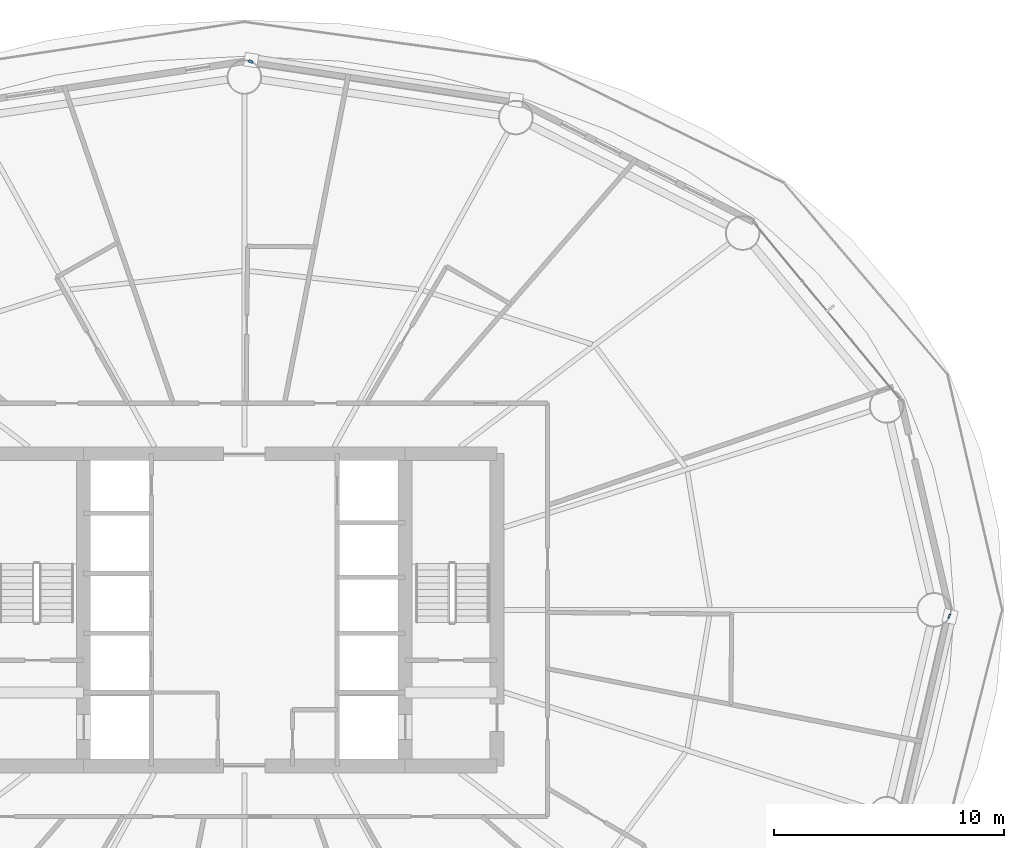
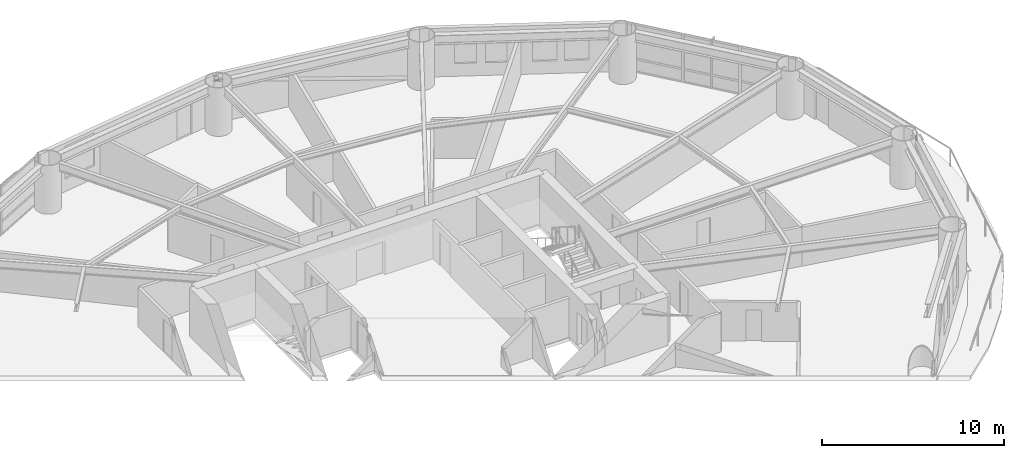
# One storey, part 15 of 27: 2 members.
"""IFC4 building model written with IfcOpenShell, lengths in metres."""

from ifc_helpers import new_model, si_unit, direction, frame, origin, origin_2d, place, context, subcontext, project, spatial, hollow_rectangle, extrude, material, material_profile, profile_set, type_object, element, save


model = new_model("IFC4")

# Units and contexts
model_context = context("Model", 3, precision=1e-05, world=origin(), true_north=direction((0.0, 1.0)))
body_context = subcontext(model_context, "Body", "Model", "MODEL_VIEW")
ifc_project = project(units=[si_unit("LENGTHUNIT", "METRE"), si_unit("AREAUNIT", "SQUARE_METRE"), si_unit("VOLUMEUNIT", "CUBIC_METRE"), si_unit("PLANEANGLEUNIT", "RADIAN"), si_unit("MASSUNIT", "GRAM", prefix="KILO")], contexts=[model_context])

# Site, building, storey
site_placement = place(None, origin())
site = spatial("IfcSite", under=ifc_project, at=site_placement, CompositionType="ELEMENT")
building_placement = place(site_placement, origin())
building = spatial("IfcBuilding", under=site, at=building_placement, Name="Sarneth Arch Tower", CompositionType="ELEMENT")
storey_placement = place(building_placement, frame((0.0, 0.0, 75.0)))
storey = spatial("IfcBuildingStorey", under=building, at=storey_placement, Name="L18", CompositionType="ELEMENT", Elevation=75.0)

# Members
ifc_material = material(Name="Steel S355", Category="steel")
ifc_material_profile = material_profile(ifc_material, hollow_rectangle(XDim=0.199951171875, YDim=0.300048828125, WallThickness=0.012451171875, InnerFilletRadius=0.018798828125, OuterFilletRadius=0.03125, at=origin_2d()), Name="RHS300x200x12.5")
ifc_profile_set = profile_set([ifc_material_profile], Name="Steel S355")
member_type = type_object("IfcMemberType", Name="MEM-CANT-STRUT", PredefinedType="STRUT", material=ifc_profile_set)
member_1_placement = place(storey_placement, frame((48.25244140625, 65.825927734375, 2.876708984375), z_axis=(0.374599922936, 0.927186549588, 0.0), x_axis=(-0.927186549588, 0.374599922936, 0.0)))
element("IfcMember", 1, at=member_1_placement, inside=storey, type_object=member_type, Name="L18 Exoskeleton brace node strut 04B", PredefinedType="STRUT", context=body_context, shape_type="SweptSolid", body=[
    extrude(hollow_rectangle(XDim=0.199951171875, YDim=0.300048828125, WallThickness=0.012451171875, InnerFilletRadius=0.018798828125, OuterFilletRadius=0.03125, at=origin_2d()), origin(), (0.0, 0.0, 1.0), 0.117919921875),
])
member_2_placement = place(storey_placement, frame((78.656494140625, 41.73681640625, 2.876708984375), z_axis=(0.921327592233, -0.388787175446, 0.0), x_axis=(0.388787175446, 0.921327592233, 0.0)))
element("IfcMember", 2, at=member_2_placement, inside=storey, type_object=member_type, Name="L18 Exoskeleton brace node strut 16B", PredefinedType="STRUT", context=body_context, shape_type="SweptSolid", body=[
    extrude(hollow_rectangle(XDim=0.199951171875, YDim=0.300048828125, WallThickness=0.012451171875, InnerFilletRadius=0.018798828125, OuterFilletRadius=0.03125, at=origin_2d()), origin(), (0.0, 0.0, 1.0), 0.07470703125),
])

save(model, "model.ifc")
